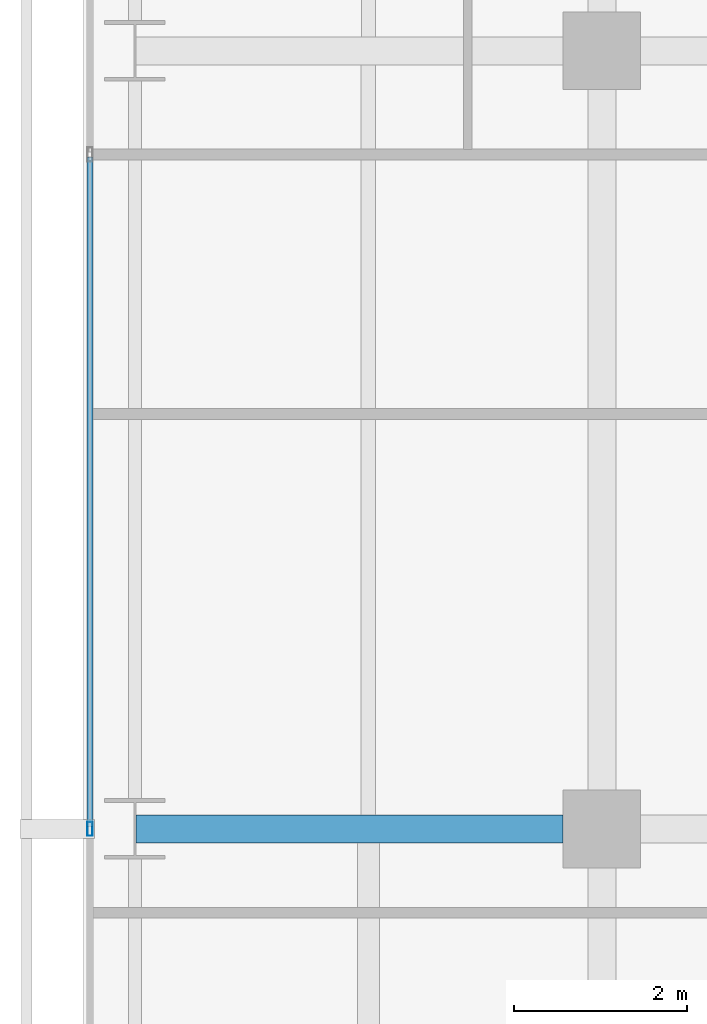
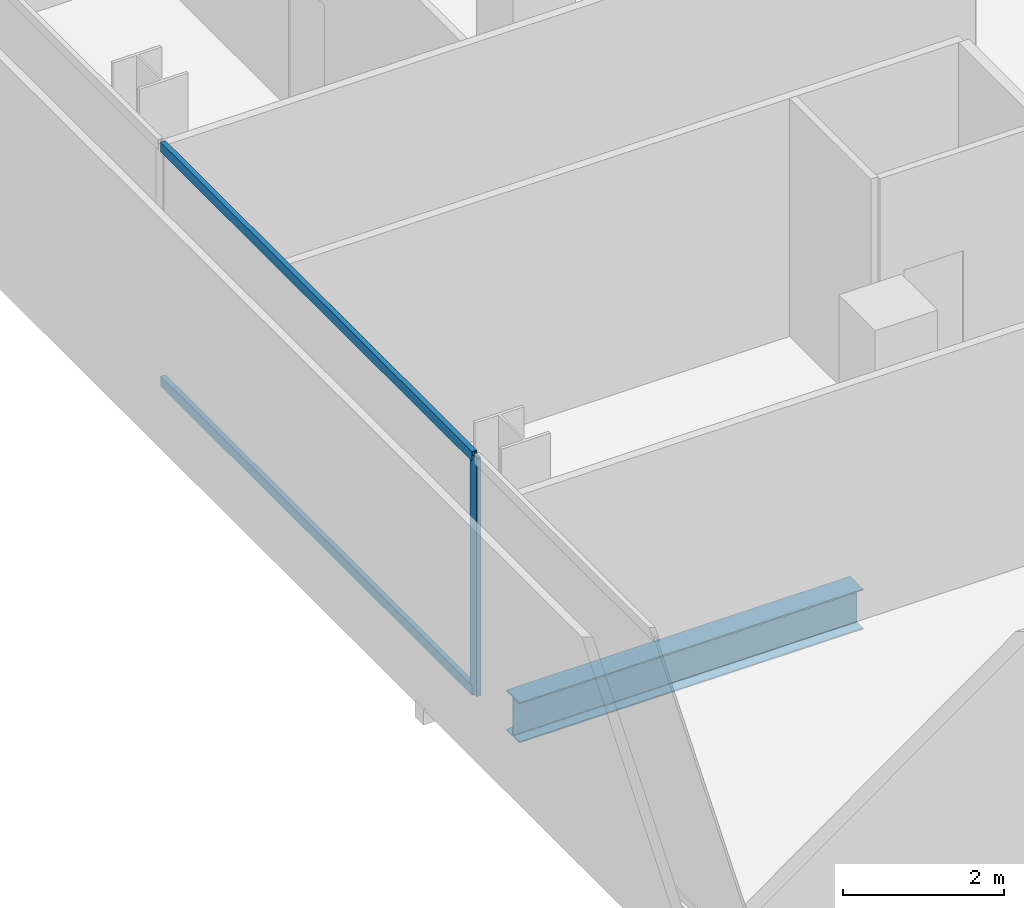
# One storey, part 12 of 40: 3 members, 1 beam, 1 element without a shape of its own.
"""IFC4 building model written with IfcOpenShell, lengths in metres."""

from ifc_helpers import new_model, si_unit, direction, frame, origin, origin_2d, place, context, subcontext, project, spatial, hollow_rectangle, i_section, extrude, material, layer, layer_set, material_profile, profile_set, type_object, element, aggregate, save


model = new_model("IFC4")

# Units and contexts
model_context = context("Model", 3, precision=1e-05, world=origin(), true_north=direction((0.0, 1.0)))
body_context = subcontext(model_context, "Body", "Model", "MODEL_VIEW")
ifc_project = project(units=[si_unit("LENGTHUNIT", "METRE"), si_unit("AREAUNIT", "SQUARE_METRE"), si_unit("VOLUMEUNIT", "CUBIC_METRE"), si_unit("PLANEANGLEUNIT", "RADIAN"), si_unit("MASSUNIT", "GRAM", prefix="KILO")], contexts=[model_context])

# Site, building, storey
site_placement = place(None, origin())
site = spatial("IfcSite", under=ifc_project, at=site_placement, CompositionType="ELEMENT")
building_placement = place(site_placement, origin())
building = spatial("IfcBuilding", under=site, at=building_placement, Name="Maruvema Waterfront Hotel and Observation Tower", CompositionType="ELEMENT")
storey_placement = place(building_placement, frame((0.0, 0.0, 88.550048828125)))
storey = spatial("IfcBuildingStorey", under=building, at=storey_placement, Name="L21", CompositionType="ELEMENT", Elevation=88.550048828125)

# Curtain wall, members
ifc_material_1 = material(Name="Anodised bronze aluminium and solar-control low-E IGU", Category="aluminium")
ifc_layer = layer(ifc_material_1, 0.159912109375, Name="Zone 1 Bronze Inner Thermal Curtain Wall System CW-02")
ifc_layer_set = layer_set([ifc_layer], Name="Anodised bronze aluminium and solar-control low-E IGU")
curtain_wall_type = type_object("IfcCurtainWallType", Name="Zone 1 Bronze Inner Thermal Curtain Wall System CW-02", PredefinedType="USERDEFINED", material=ifc_layer_set)
curtain_wall_placement = place(storey_placement, origin())
curtain_wall = element("IfcCurtainWall", 1, at=curtain_wall_placement, inside=storey, type_object=curtain_wall_type, Name="L21 Curtain Wall CW-L21-W", ObjectType="UNITISED CURTAIN WALL", PredefinedType="USERDEFINED")
ifc_material_2 = material(Name="Anodised architectural bronze aluminium", Category="aluminium")
ifc_material_profile_1 = material_profile(ifc_material_2, hollow_rectangle(XDim=0.070068359375, YDim=0.14990234375, WallThickness=0.00390625, at=origin_2d()), Name="ALU-T70x150")
ifc_profile_set_1 = profile_set([ifc_material_profile_1], Name="Anodised architectural bronze aluminium")
member_type_1 = type_object("IfcMemberType", Name="Curtain Wall Horizontal Transom ALU-T70x150", PredefinedType="USERDEFINED", material=ifc_profile_set_1)
member_1_placement = place(storey_placement, frame((10.8798828125, 34.77001953125, 0.030029296875), z_axis=(0.0, -1.0, 0.0), x_axis=(1.0, 0.0, 0.0)))
member_1 = element("IfcMember", 2, at=member_1_placement, type_object=member_type_1, Name="CW-02 transom 3.1", ObjectType="TRANSOM", PredefinedType="USERDEFINED", context=body_context, shape_type="SweptSolid", body=[
    extrude(hollow_rectangle(XDim=0.070068359375, YDim=0.14990234375, WallThickness=0.00390625, at=origin_2d()), origin(), (0.0, 0.0, 1.0), 7.739990234375),
])
member_2_placement = place(storey_placement, frame((10.8798828125, 34.77001953125, 3.579833984375), z_axis=(0.0, -1.0, 0.0), x_axis=(1.0, 0.0, 0.0)))
member_2 = element("IfcMember", 3, at=member_2_placement, type_object=member_type_1, Name="CW-02 transom 3.2", ObjectType="TRANSOM", PredefinedType="USERDEFINED", context=body_context, shape_type="SweptSolid", body=[
    extrude(hollow_rectangle(XDim=0.070068359375, YDim=0.14990234375, WallThickness=0.00390625, at=origin_2d()), origin(), (0.0, 0.0, 1.0), 7.739990234375),
])
ifc_material_3 = material(Name="Anodised architectural bronze aluminium", Category="aluminium")
ifc_material_profile_2 = material_profile(ifc_material_3, hollow_rectangle(XDim=0.06494140625, YDim=0.1650390625, WallThickness=0.00390625, at=origin_2d()), Name="ALU-M65x165")
ifc_profile_set_2 = profile_set([ifc_material_profile_2], Name="Anodised architectural bronze aluminium")
member_type_2 = type_object("IfcMemberType", Name="Curtain Wall Primary Mullion ALU-M65x165", PredefinedType="MULLION", material=ifc_profile_set_2)
member_3_placement = place(storey_placement, frame((10.8798828125, 27.0, 0.0), z_axis=(0.0, 0.0, 1.0), x_axis=(1.0, 0.0, 0.0)))
member_3 = element("IfcMember", 4, at=member_3_placement, type_object=member_type_2, Name="CW-02 mullion 4", PredefinedType="MULLION", context=body_context, shape_type="SweptSolid", body=[
    extrude(hollow_rectangle(XDim=0.06494140625, YDim=0.1650390625, WallThickness=0.00390625, at=origin_2d()), origin(), (0.0, 0.0, 1.0), 3.60986328125),
])
aggregate(curtain_wall, [member_3, member_1, member_2])

# Beam
ifc_material_4 = material(Name="Steel ASTM A572 Grade 50", Category="steel")
ifc_material_profile_3 = material_profile(ifc_material_4, i_section(OverallWidth=0.323974609375, OverallDepth=0.611083984375, WebThickness=0.0126953125, FlangeThickness=0.01904296875, FilletRadius=0.01806640625, at=origin_2d()), Name="W610x155.0")
ifc_profile_set_3 = profile_set([ifc_material_profile_3], Name="Steel ASTM A572 Grade 50")
beam_type = type_object("IfcBeamType", Name="Primary Floor Girder W610x155.0", PredefinedType="BEAM", material=ifc_profile_set_3)
beam_placement = place(storey_placement, frame((11.4140625, 27.0, -0.545654296875), z_axis=(1.0, 0.0, 0.0), x_axis=(0.0, 1.0, 0.0)))
element("IfcBeam", 5, at=beam_placement, inside=storey, type_object=beam_type, Name="L21 Floor Girder EW-20", PredefinedType="BEAM", context=body_context, shape_type="SweptSolid", body=[
    extrude(i_section(OverallWidth=0.323974609375, OverallDepth=0.611083984375, WebThickness=0.0126953125, FlangeThickness=0.01904296875, FilletRadius=0.01806640625, at=origin_2d()), origin(), (0.0, 0.0, 1.0), 4.93603515625),
])

save(model, "model.ifc")
